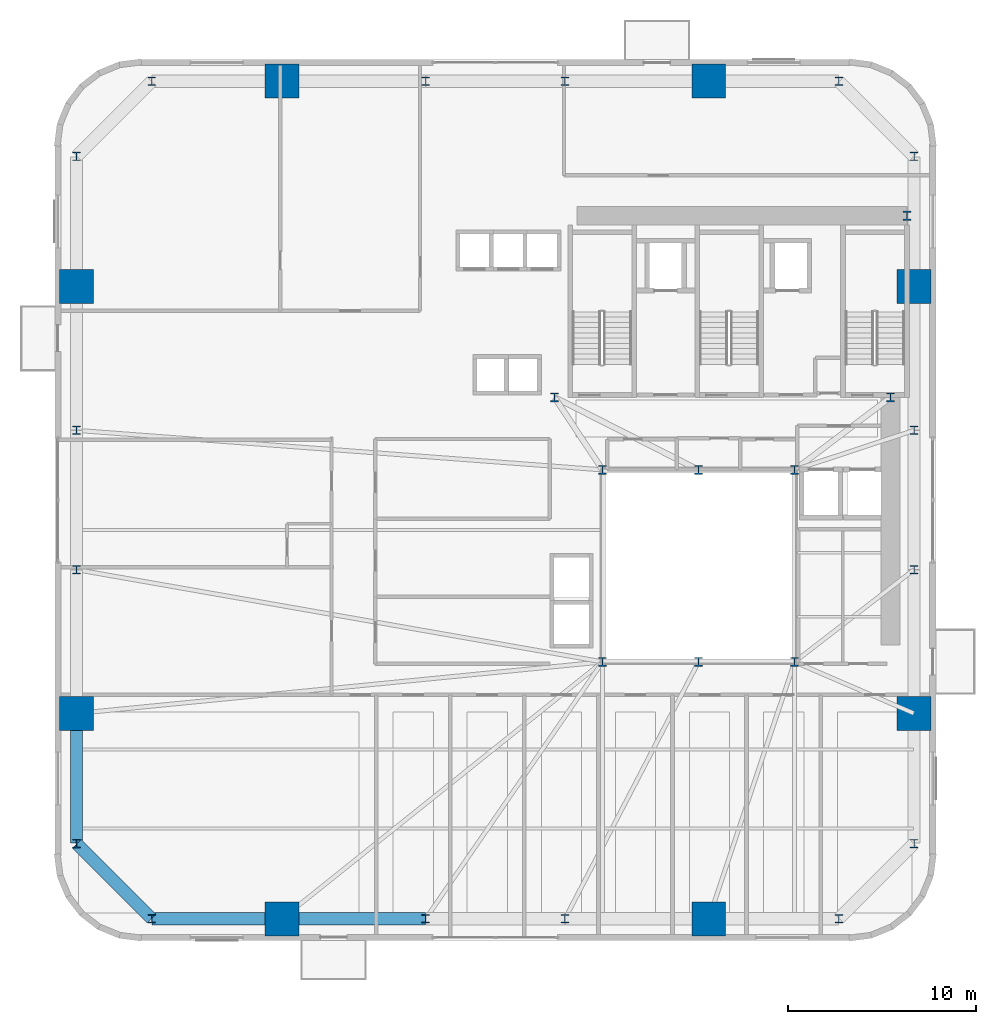
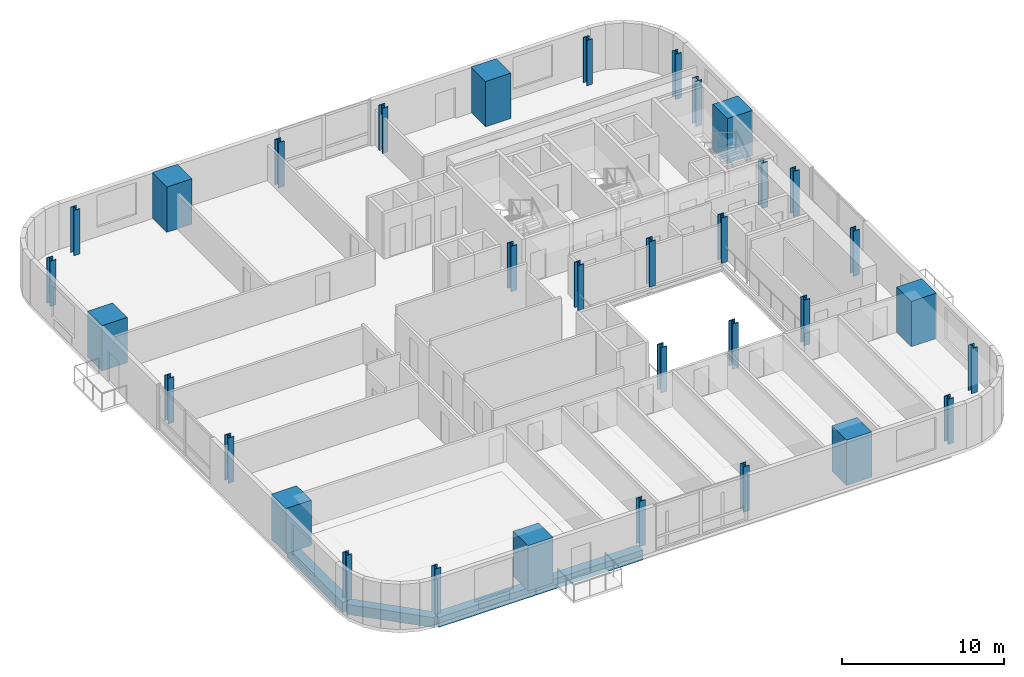
# One storey, part 1 of 13: 33 columns, 4 beams.
"""IFC4 building model written with IfcOpenShell, lengths in metres."""

from ifc_helpers import new_model, si_unit, direction, frame, origin, origin_2d, place, context, subcontext, project, spatial, rectangle, i_section, extrude, source, transform, mapped, material, material_profile, profile_set, type_object, element, save


model = new_model("IFC4")

# Units and contexts
model_context = context("Model", 3, precision=1e-05, world=origin(), true_north=direction((0.0, 1.0)))
body_context = subcontext(model_context, "Body", "Model", "MODEL_VIEW")
ifc_project = project(units=[si_unit("LENGTHUNIT", "METRE"), si_unit("AREAUNIT", "SQUARE_METRE"), si_unit("VOLUMEUNIT", "CUBIC_METRE"), si_unit("PLANEANGLEUNIT", "RADIAN"), si_unit("MASSUNIT", "GRAM", prefix="KILO")], contexts=[model_context])

# Site, building, storey
site_placement = place(None, origin())
site = spatial("IfcSite", under=ifc_project, at=site_placement, CompositionType="ELEMENT")
building_placement = place(site_placement, origin())
building = spatial("IfcBuilding", under=site, at=building_placement, Name="Vardaveli Station Tower", CompositionType="ELEMENT")
storey_placement = place(building_placement, frame((0.0, 0.0, 56.800048828125)))
storey = spatial("IfcBuildingStorey", under=building, at=storey_placement, Name="L14", CompositionType="ELEMENT", Elevation=56.800048828125)

# Columns
ifc_material_1 = material(Name="Structural steel S460M", Category="steel")
ifc_material_profile_1 = material_profile(ifc_material_1, i_section(OverallWidth=0.427978515625, OverallDepth=0.48095703125, WebThickness=0.03955078125, FlangeThickness=0.0634765625, FilletRadius=0.014892578125, at=origin_2d()), Name="HD 400x677")
ifc_profile_set_1 = profile_set([ifc_material_profile_1], Name="Structural steel S460M")
column_type_1 = type_object("IfcColumnType", Name="COL-HD677", PredefinedType="COLUMN", material=ifc_profile_set_1)
shared_shape_1 = source(origin(), body_context, "Body", "SweptSolid", [
    extrude(i_section(OverallWidth=0.427978515625, OverallDepth=0.48095703125, WebThickness=0.03955078125, FlangeThickness=0.0634765625, FilletRadius=0.014892578125, at=origin_2d()), origin(), (0.0, 0.0, 1.0), 3.409912109375),
])
for number, where, z_axis, x_axis, name in (
    (1, (31.199951171875, 16.60009765625, 0.0), (0.0, 0.0, 1.0), (1.0, 0.0, 0.0), "COL-L14-AC1"),
    (2, (36.300048828125, 16.60009765625, 0.0), (0.0, 0.0, 1.0), (1.0, 0.0, 0.0), "COL-L14-AC2"),
    (3, (41.39990234375, 16.60009765625, 0.0), (0.0, 0.0, 1.0), (1.0, 0.0, 0.0), "COL-L14-AC3"),
    (4, (41.39990234375, 26.800048828125, 0.0), (0.0, 0.0, 1.0), (1.0, 0.0, 0.0), "COL-L14-AC4"),
    (5, (36.300048828125, 26.800048828125, 0.0), (0.0, 0.0, 1.0), (1.0, 0.0, 0.0), "COL-L14-AC5"),
    (6, (31.199951171875, 26.800048828125, 0.0), (0.0, 0.0, 1.0), (1.0, 0.0, 0.0), "COL-L14-AC6"),
    (7, (28.64990234375, 30.64990234375, 0.0), (0.0, 0.0, 1.0), (1.0, 0.0, 0.0), "COL-L14-CC1"),
    (8, (46.5, 30.64990234375, 0.0), (0.0, 0.0, 1.0), (1.0, 0.0, 0.0), "COL-L14-CC2"),
    (9, (47.3701171875, 40.300048828125, 0.0), (0.0, 0.0, 1.0), (1.0, 0.0, 0.0), "COL-L14-CC3"),
):
    element("IfcColumn", number, at=place(storey_placement, frame(where, z_axis=z_axis, x_axis=x_axis)), inside=storey, type_object=column_type_1, Name=name, PredefinedType="COLUMN", context=body_context, shape_type="MappedRepresentation", body=[
        mapped(shared_shape_1, transform((0.0, 0.0, 0.0), scale=1.0)),
    ])
ifc_material_2 = material(Name="Concrete C70/85", Category="concrete")
ifc_material_profile_2 = material_profile(ifc_material_2, rectangle(XDim=1.800048828125, YDim=1.800048828125, at=origin_2d()), Name="MC 1800x1800")
ifc_profile_set_2 = profile_set([ifc_material_profile_2], Name="Concrete C70/85")
column_type_2 = type_object("IfcColumnType", Name="COL-MC-1800", PredefinedType="COLUMN", material=ifc_profile_set_2)
shared_shape_2 = source(origin(), body_context, "Body", "SweptSolid", [
    extrude(rectangle(XDim=1.800048828125, YDim=1.800048828125, at=origin_2d()), origin(), (0.0, 0.0, 1.0), 3.409912109375),
])
for number, where, z_axis, x_axis, name in (
    (10, (14.159912109375, 2.949951171875, 0.0), (0.0, 0.0, 1.0), (1.0, 0.0, 0.0), "COL-L14-MC1"),
    (11, (36.840087890625, 2.949951171875, 0.0), (0.0, 0.0, 1.0), (1.0, 0.0, 0.0), "COL-L14-MC2"),
    (12, (47.75, 13.860107421875, 0.0), (0.0, 0.0, 1.0), (1.0, 0.0, 0.0), "COL-L14-MC3"),
    (13, (47.75, 36.5400390625, 0.0), (0.0, 0.0, 1.0), (1.0, 0.0, 0.0), "COL-L14-MC4"),
    (14, (36.840087890625, 47.449951171875, 0.0), (0.0, 0.0, 1.0), (1.0, 0.0, 0.0), "COL-L14-MC5"),
    (15, (14.159912109375, 47.449951171875, 0.0), (0.0, 0.0, 1.0), (1.0, 0.0, 0.0), "COL-L14-MC6"),
    (16, (3.25, 36.5400390625, 0.0), (0.0, 0.0, 1.0), (1.0, 0.0, 0.0), "COL-L14-MC7"),
    (17, (3.25, 13.860107421875, 0.0), (0.0, 0.0, 1.0), (1.0, 0.0, 0.0), "COL-L14-MC8"),
):
    element("IfcColumn", number, at=place(storey_placement, frame(where, z_axis=z_axis, x_axis=x_axis)), inside=storey, type_object=column_type_2, Name=name, PredefinedType="COLUMN", context=body_context, shape_type="MappedRepresentation", body=[
        mapped(shared_shape_2, transform((0.0, 0.0, 0.0), scale=1.0)),
    ])
ifc_material_profile_3 = material_profile(ifc_material_1, i_section(OverallWidth=0.4189453125, OverallDepth=0.448974609375, WebThickness=0.030517578125, FlangeThickness=0.04833984375, FilletRadius=0.014892578125, at=origin_2d()), Name="HD 400x509")
ifc_profile_set_3 = profile_set([ifc_material_profile_3], Name="Structural steel S460M")
column_type_3 = type_object("IfcColumnType", Name="COL-HD509", PredefinedType="COLUMN", material=ifc_profile_set_3)
shared_shape_3 = source(origin(), body_context, "Body", "SweptSolid", [
    extrude(i_section(OverallWidth=0.4189453125, OverallDepth=0.448974609375, WebThickness=0.030517578125, FlangeThickness=0.04833984375, FilletRadius=0.014892578125, at=origin_2d()), origin(), (0.0, 0.0, 1.0), 3.409912109375),
])
for number, where, z_axis, x_axis, name in (
    (18, (7.25, 2.949951171875, 0.0), (0.0, 0.0, 1.0), (1.0, 0.0, 0.0), "COL-L14-PC01"),
    (19, (21.800048828125, 2.949951171875, 0.0), (0.0, 0.0, 1.0), (1.0, 0.0, 0.0), "COL-L14-PC02"),
    (20, (29.199951171875, 2.949951171875, 0.0), (0.0, 0.0, 1.0), (1.0, 0.0, 0.0), "COL-L14-PC03"),
    (21, (43.75, 2.949951171875, 0.0), (0.0, 0.0, 1.0), (1.0, 0.0, 0.0), "COL-L14-PC04"),
    (22, (47.75, 6.949951171875, 0.0), (0.0, 0.0, 1.0), (1.0, 0.0, 0.0), "COL-L14-PC05"),
    (23, (47.75, 21.5, 0.0), (0.0, 0.0, 1.0), (1.0, 0.0, 0.0), "COL-L14-PC06"),
    (24, (47.75, 28.89990234375, 0.0), (0.0, 0.0, 1.0), (1.0, 0.0, 0.0), "COL-L14-PC07"),
    (25, (47.75, 43.449951171875, 0.0), (0.0, 0.0, 1.0), (1.0, 0.0, 0.0), "COL-L14-PC08"),
    (26, (43.75, 47.449951171875, 0.0), (0.0, 0.0, 1.0), (1.0, 0.0, 0.0), "COL-L14-PC09"),
    (27, (29.199951171875, 47.449951171875, 0.0), (0.0, 0.0, 1.0), (1.0, 0.0, 0.0), "COL-L14-PC10"),
    (28, (21.800048828125, 47.449951171875, 0.0), (0.0, 0.0, 1.0), (1.0, 0.0, 0.0), "COL-L14-PC11"),
    (29, (7.25, 47.449951171875, 0.0), (0.0, 0.0, 1.0), (1.0, 0.0, 0.0), "COL-L14-PC12"),
    (30, (3.25, 43.449951171875, 0.0), (0.0, 0.0, 1.0), (1.0, 0.0, 0.0), "COL-L14-PC13"),
    (31, (3.25, 28.89990234375, 0.0), (0.0, 0.0, 1.0), (1.0, 0.0, 0.0), "COL-L14-PC14"),
    (32, (3.25, 21.5, 0.0), (0.0, 0.0, 1.0), (1.0, 0.0, 0.0), "COL-L14-PC15"),
    (33, (3.25, 6.949951171875, 0.0), (0.0, 0.0, 1.0), (1.0, 0.0, 0.0), "COL-L14-PC16"),
):
    element("IfcColumn", number, at=place(storey_placement, frame(where, z_axis=z_axis, x_axis=x_axis)), inside=storey, type_object=column_type_3, Name=name, PredefinedType="COLUMN", context=body_context, shape_type="MappedRepresentation", body=[
        mapped(shared_shape_3, transform((0.0, 0.0, 0.0), scale=1.0)),
    ])

# Beams
ifc_material_3 = material(Name="Precast concrete C45/55", Category="concrete")
ifc_material_profile_4 = material_profile(ifc_material_3, rectangle(XDim=0.64990234375, YDim=0.75, at=origin_2d()), Name="LPB 650x750")
ifc_profile_set_4 = profile_set([ifc_material_profile_4], Name="Precast concrete C45/55")
beam_type = type_object("IfcBeamType", Name="BM-LPB-750", PredefinedType="BEAM", material=ifc_profile_set_4)
shared_shape_4 = source(origin(), body_context, "Body", "SweptSolid", [
    extrude(rectangle(XDim=0.64990234375, YDim=0.75, at=origin_2d()), origin(), (0.0, 0.0, 1.0), 7.60009765625),
])
beam_1_placement = place(storey_placement, frame((14.179931640625, 2.949951171875, -0.614990234375), z_axis=(1.0, 0.0, 0.0), x_axis=(0.0, 1.0, 0.0)))
element("IfcBeam", 34, at=beam_1_placement, inside=storey, type_object=beam_type, Name="RBM-L14-01", PredefinedType="BEAM", context=body_context, shape_type="MappedRepresentation", body=[
    mapped(shared_shape_4, transform((0.0, 0.0, 0.0), scale=1.0)),
])
shared_shape_5 = source(origin(), body_context, "Body", "SweptSolid", [
    extrude(rectangle(XDim=0.64990234375, YDim=0.75, at=origin_2d()), origin(), (0.0, 0.0, 1.0), 6.869873046875),
])
beam_2_placement = place(storey_placement, frame((7.27001953125, 2.949951171875, -0.614990234375), z_axis=(1.0, 0.0, 0.0), x_axis=(0.0, 1.0, 0.0)))
element("IfcBeam", 35, at=beam_2_placement, inside=storey, type_object=beam_type, Name="RBM-L14-24", PredefinedType="BEAM", context=body_context, shape_type="MappedRepresentation", body=[
    mapped(shared_shape_5, transform((0.0, 0.0, 0.0), scale=1.0)),
])
shared_shape_6 = source(origin(), body_context, "Body", "SweptSolid", [
    extrude(rectangle(XDim=0.64990234375, YDim=0.75, at=origin_2d()), origin(), (0.0, 0.0, 1.0), 5.61669921875),
])
beam_3_placement = place(storey_placement, frame((3.26416015625, 6.935791015625, -0.614990234375), z_axis=(0.707106781187, -0.707106781187, 0.0), x_axis=(0.707106781187, 0.707106781187, 0.0)))
element("IfcBeam", 36, at=beam_3_placement, inside=storey, type_object=beam_type, Name="RBM-L14-23", PredefinedType="BEAM", context=body_context, shape_type="MappedRepresentation", body=[
    mapped(shared_shape_6, transform((0.0, 0.0, 0.0), scale=1.0)),
])
shared_shape_7 = source(origin(), body_context, "Body", "SweptSolid", [
    extrude(rectangle(XDim=0.64990234375, YDim=0.75, at=origin_2d()), origin(), (0.0, 0.0, 1.0), 6.8701171875),
])
beam_4_placement = place(storey_placement, frame((3.25, 13.840087890625, -0.614990234375), z_axis=(0.0, -1.0, 0.0), x_axis=(1.0, 0.0, 0.0)))
element("IfcBeam", 37, at=beam_4_placement, inside=storey, type_object=beam_type, Name="RBM-L14-22", PredefinedType="BEAM", context=body_context, shape_type="MappedRepresentation", body=[
    mapped(shared_shape_7, transform((0.0, 0.0, 0.0), scale=1.0)),
])

save(model, "model.ifc")
